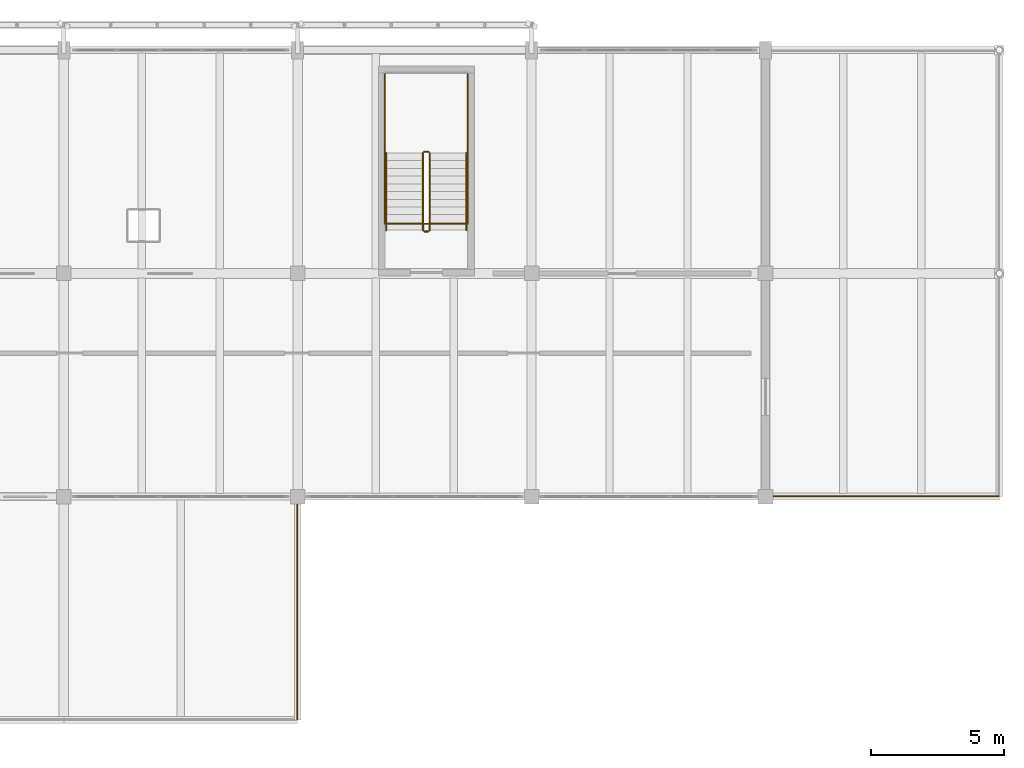
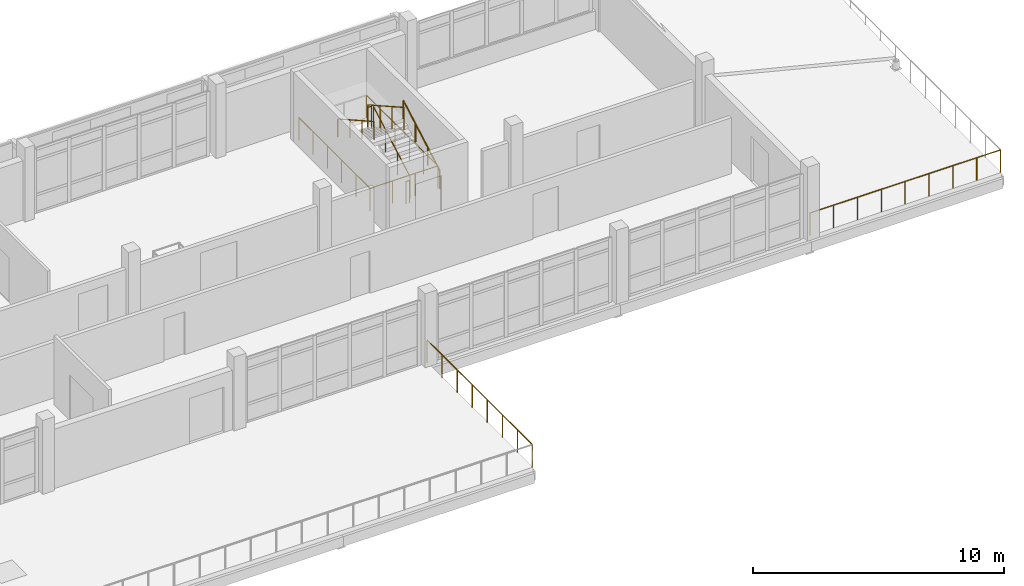
# One storey, part 29 of 30: 11 railings.
"""IFC4 building model written with IfcOpenShell, lengths in metres."""

from ifc_helpers import new_model, si_unit, direction, frame, origin, origin_2d, place, context, subcontext, project, spatial, circle, extrude, material, type_object, element, save


model = new_model("IFC4")

# Units and contexts
model_context = context("Model", 3, precision=1e-05, world=origin(), true_north=direction((0.0, 1.0)))
body_context = subcontext(model_context, "Body", "Model", "MODEL_VIEW")
ifc_project = project(units=[si_unit("LENGTHUNIT", "METRE"), si_unit("AREAUNIT", "SQUARE_METRE"), si_unit("VOLUMEUNIT", "CUBIC_METRE"), si_unit("PLANEANGLEUNIT", "RADIAN"), si_unit("MASSUNIT", "GRAM", prefix="KILO")], contexts=[model_context])

# Site, building, storey
site_placement = place(None, origin())
site = spatial("IfcSite", under=ifc_project, at=site_placement, CompositionType="ELEMENT")
building_placement = place(site_placement, origin())
building = spatial("IfcBuilding", under=site, at=building_placement, Name="Cinderway Yard Community Centre", CompositionType="ELEMENT")
storey_placement = place(building_placement, frame((0.0, 0.0, 16.5)))
storey = spatial("IfcBuildingStorey", under=building, at=storey_placement, Name="L04", CompositionType="ELEMENT", Elevation=16.5)

# Railings
ifc_material = material(Name="Painted Galvanised Steel", Category="steel")
railing_type_1 = type_object("IfcRailingType", Name="INT-RAL-GRD112", PredefinedType="GUARDRAIL", material=ifc_material)
railing_1_placement = place(storey_placement, frame((115.3701171875, 108.429931640625, 0.16357421875)))
element("IfcRailing", 1, at=railing_1_placement, inside=storey, type_object=railing_type_1, Name="L04 ST-03 stair guard 1", PredefinedType="GUARDRAIL", context=body_context, shape_type="SweptSolid", body=[
    extrude(circle(Radius=0.02392578125, at=origin_2d()), frame((0.0, 0.0, 1.076171875), z_axis=(0.0, 0.870914908162, 0.491433843708), x_axis=(-1.0, 0.0, 0.0)), (0.0, 0.0, 1.0), 3.330078125),
    extrude(circle(Radius=0.02099609375, at=origin_2d()), origin(), (0.0, 0.0, 1.0), 1.052001953125),
    extrude(circle(Radius=0.02099609375, at=origin_2d()), frame((0.0, 0.966796875, 0.54541015625)), (0.0, 0.0, 1.0), 1.052001953125),
    extrude(circle(Radius=0.02099609375, at=origin_2d()), frame((0.0, 1.933349609375, 1.091064453125)), (0.0, 0.0, 1.0), 1.052001953125),
    extrude(circle(Radius=0.02099609375, at=origin_2d()), frame((0.0, 2.900146484375, 1.636474609375)), (0.0, 0.0, 1.0), 1.052001953125),
])
railing_2_placement = place(storey_placement, frame((115.320068359375, 111.3798828125, 1.800048828125)))
element("IfcRailing", 2, at=railing_2_placement, inside=storey, type_object=railing_type_1, Name="L04 ST-03 stair guard 2", PredefinedType="GUARDRAIL", context=body_context, shape_type="SweptSolid", body=[
    extrude(circle(Radius=0.02392578125, at=origin_2d()), frame((0.0, 0.0, 1.076171875), z_axis=(-1.0, 0.0, 0.0), x_axis=(0.0, -1.0, 0.0)), (0.0, 0.0, 1.0), 0.16015625),
    extrude(circle(Radius=0.02099609375, at=origin_2d()), origin(), (0.0, 0.0, 1.0), 1.052001953125),
    extrude(circle(Radius=0.02099609375, at=origin_2d()), frame((-0.16015625, 0.0, 0.0)), (0.0, 0.0, 1.0), 1.052001953125),
])
railing_3_placement = place(storey_placement, frame((115.110107421875, 111.330078125, 1.963623046875)))
element("IfcRailing", 3, at=railing_3_placement, inside=storey, type_object=railing_type_1, Name="L04 ST-03 stair guard 3", PredefinedType="GUARDRAIL", context=body_context, shape_type="SweptSolid", body=[
    extrude(circle(Radius=0.02392578125, at=origin_2d()), frame((0.0, 0.0, 1.076171875), z_axis=(0.0, -0.870914908162, 0.491433843708), x_axis=(1.0, 0.0, 0.0)), (0.0, 0.0, 1.0), 3.330078125),
    extrude(circle(Radius=0.02099609375, at=origin_2d()), origin(), (0.0, 0.0, 1.0), 1.052001953125),
    extrude(circle(Radius=0.02099609375, at=origin_2d()), frame((0.0, -0.966796875, 0.54541015625)), (0.0, 0.0, 1.0), 1.052001953125),
    extrude(circle(Radius=0.02099609375, at=origin_2d()), frame((0.0, -1.933349609375, 1.091064453125)), (0.0, 0.0, 1.0), 1.052001953125),
    extrude(circle(Radius=0.02099609375, at=origin_2d()), frame((0.0, -2.900146484375, 1.636474609375)), (0.0, 0.0, 1.0), 1.052001953125),
])
railing_4_placement = place(storey_placement, frame((115.320068359375, 108.3798828125, 0.0)))
element("IfcRailing", 4, at=railing_4_placement, inside=storey, type_object=railing_type_1, Name="L04 ST-03 stair guard 4", PredefinedType="GUARDRAIL", context=body_context, shape_type="SweptSolid", body=[
    extrude(circle(Radius=0.02392578125, at=origin_2d()), frame((0.0, 0.0, 1.076171875), z_axis=(-1.0, 0.0, 0.0), x_axis=(0.0, -1.0, 0.0)), (0.0, 0.0, 1.0), 0.16015625),
    extrude(circle(Radius=0.02099609375, at=origin_2d()), origin(), (0.0, 0.0, 1.0), 1.052001953125),
    extrude(circle(Radius=0.02099609375, at=origin_2d()), frame((-0.16015625, 0.0, 0.0)), (0.0, 0.0, 1.0), 1.052001953125),
])
railing_5_placement = place(storey_placement, frame((128.0, 98.419921875, 0.0)))
element("IfcRailing", 5, at=railing_5_placement, inside=storey, type_object=railing_type_1, Name="V4 L04 East Setback Terrace Guard 042", PredefinedType="GUARDRAIL", context=body_context, shape_type="SweptSolid", body=[
    extrude(circle(Radius=0.02392578125, at=origin_2d()), frame((0.0, 0.0, 1.09619140625), z_axis=(1.0, 0.0, 0.0), x_axis=(0.0, 1.0, 0.0)), (0.0, 0.0, 1.0), 8.780029296875),
    extrude(circle(Radius=0.02099609375, at=origin_2d()), origin(), (0.0, 0.0, 1.0), 1.072021484375),
    extrude(circle(Radius=0.02099609375, at=origin_2d()), frame((1.097412109375, 0.0, 0.0)), (0.0, 0.0, 1.0), 1.072021484375),
    extrude(circle(Radius=0.02099609375, at=origin_2d()), frame((2.195068359375, 0.0, 0.0)), (0.0, 0.0, 1.0), 1.072021484375),
    extrude(circle(Radius=0.02099609375, at=origin_2d()), frame((3.29248046875, 0.0, 0.0)), (0.0, 0.0, 1.0), 1.072021484375),
    extrude(circle(Radius=0.02099609375, at=origin_2d()), frame((4.39013671875, 0.0, 0.0)), (0.0, 0.0, 1.0), 1.072021484375),
    extrude(circle(Radius=0.02099609375, at=origin_2d()), frame((5.487548828125, 0.0, 0.0)), (0.0, 0.0, 1.0), 1.072021484375),
    extrude(circle(Radius=0.02099609375, at=origin_2d()), frame((6.5849609375, 0.0, 0.0)), (0.0, 0.0, 1.0), 1.072021484375),
    extrude(circle(Radius=0.02099609375, at=origin_2d()), frame((7.6826171875, 0.0, 0.0)), (0.0, 0.0, 1.0), 1.072021484375),
    extrude(circle(Radius=0.02099609375, at=origin_2d()), frame((8.780029296875, 0.0, 0.0)), (0.0, 0.0, 1.0), 1.072021484375),
])
railing_6_placement = place(storey_placement, frame((110.3798828125, 90.02001953125, 0.0)))
element("IfcRailing", 6, at=railing_6_placement, inside=storey, type_object=railing_type_1, Name="V4 L04 South Courtyard Terrace Guard 047", PredefinedType="GUARDRAIL", context=body_context, shape_type="SweptSolid", body=[
    extrude(circle(Radius=0.02392578125, at=origin_2d()), frame((0.0, 0.0, 1.09619140625), z_axis=(0.0, 1.0, 0.0), x_axis=(-1.0, 0.0, 0.0)), (0.0, 0.0, 1.0), 8.3798828125),
    extrude(circle(Radius=0.02099609375, at=origin_2d()), origin(), (0.0, 0.0, 1.0), 1.072021484375),
    extrude(circle(Radius=0.02099609375, at=origin_2d()), frame((0.0, 1.197021484375, 0.0)), (0.0, 0.0, 1.0), 1.072021484375),
    extrude(circle(Radius=0.02099609375, at=origin_2d()), frame((0.0, 2.394287109375, 0.0)), (0.0, 0.0, 1.0), 1.072021484375),
    extrude(circle(Radius=0.02099609375, at=origin_2d()), frame((0.0, 3.59130859375, 0.0)), (0.0, 0.0, 1.0), 1.072021484375),
    extrude(circle(Radius=0.02099609375, at=origin_2d()), frame((0.0, 4.78857421875, 0.0)), (0.0, 0.0, 1.0), 1.072021484375),
    extrude(circle(Radius=0.02099609375, at=origin_2d()), frame((0.0, 5.985595703125, 0.0)), (0.0, 0.0, 1.0), 1.072021484375),
    extrude(circle(Radius=0.02099609375, at=origin_2d()), frame((0.0, 7.182861328125, 0.0)), (0.0, 0.0, 1.0), 1.072021484375),
    extrude(circle(Radius=0.02099609375, at=origin_2d()), frame((0.0, 8.3798828125, 0.0)), (0.0, 0.0, 1.0), 1.072021484375),
])
railing_7_placement = place(storey_placement, frame((116.800048828125, 108.669921875, 0.0)))
element("IfcRailing", 7, at=railing_7_placement, inside=storey, type_object=railing_type_1, Name="Service void perimeter guard L04 199", PredefinedType="GUARDRAIL", context=body_context, shape_type="SweptSolid", body=[
    extrude(circle(Radius=0.02392578125, at=origin_2d()), frame((0.0, 0.0, 1.09619140625), z_axis=(0.0, 1.0, 0.0), x_axis=(-1.0, 0.0, 0.0)), (0.0, 0.0, 1.0), 5.68017578125),
    extrude(circle(Radius=0.02099609375, at=origin_2d()), origin(), (0.0, 0.0, 1.0), 1.072021484375),
    extrude(circle(Radius=0.02099609375, at=origin_2d()), frame((0.0, 1.135986328125, 0.0)), (0.0, 0.0, 1.0), 1.072021484375),
    extrude(circle(Radius=0.02099609375, at=origin_2d()), frame((0.0, 2.27197265625, 0.0)), (0.0, 0.0, 1.0), 1.072021484375),
    extrude(circle(Radius=0.02099609375, at=origin_2d()), frame((0.0, 3.408203125, 0.0)), (0.0, 0.0, 1.0), 1.072021484375),
    extrude(circle(Radius=0.02099609375, at=origin_2d()), frame((0.0, 4.544189453125, 0.0)), (0.0, 0.0, 1.0), 1.072021484375),
    extrude(circle(Radius=0.02099609375, at=origin_2d()), frame((0.0, 5.68017578125, 0.0)), (0.0, 0.0, 1.0), 1.072021484375),
])
railing_8_placement = place(storey_placement, frame((113.679931640625, 114.35009765625, 0.0)))
element("IfcRailing", 8, at=railing_8_placement, inside=storey, type_object=railing_type_1, Name="Service void perimeter guard L04 201", PredefinedType="GUARDRAIL", context=body_context, shape_type="SweptSolid", body=[
    extrude(circle(Radius=0.02392578125, at=origin_2d()), frame((0.0, 0.0, 1.09619140625), z_axis=(0.0, -1.0, 0.0), x_axis=(1.0, 0.0, 0.0)), (0.0, 0.0, 1.0), 5.68017578125),
    extrude(circle(Radius=0.02099609375, at=origin_2d()), origin(), (0.0, 0.0, 1.0), 1.072021484375),
    extrude(circle(Radius=0.02099609375, at=origin_2d()), frame((0.0, -1.135986328125, 0.0)), (0.0, 0.0, 1.0), 1.072021484375),
    extrude(circle(Radius=0.02099609375, at=origin_2d()), frame((0.0, -2.27197265625, 0.0)), (0.0, 0.0, 1.0), 1.072021484375),
    extrude(circle(Radius=0.02099609375, at=origin_2d()), frame((0.0, -3.408203125, 0.0)), (0.0, 0.0, 1.0), 1.072021484375),
    extrude(circle(Radius=0.02099609375, at=origin_2d()), frame((0.0, -4.544189453125, 0.0)), (0.0, 0.0, 1.0), 1.072021484375),
    extrude(circle(Radius=0.02099609375, at=origin_2d()), frame((0.0, -5.68017578125, 0.0)), (0.0, 0.0, 1.0), 1.072021484375),
])
railing_9_placement = place(storey_placement, frame((113.679931640625, 108.669921875, 0.0)))
element("IfcRailing", 9, at=railing_9_placement, inside=storey, type_object=railing_type_1, Name="Service void perimeter guard L04 202", PredefinedType="GUARDRAIL", context=body_context, shape_type="SweptSolid", body=[
    extrude(circle(Radius=0.02392578125, at=origin_2d()), frame((0.0, 0.0, 1.09619140625), z_axis=(1.0, 0.0, 0.0), x_axis=(0.0, 1.0, 0.0)), (0.0, 0.0, 1.0), 3.1201171875),
    extrude(circle(Radius=0.02099609375, at=origin_2d()), origin(), (0.0, 0.0, 1.0), 1.072021484375),
    extrude(circle(Radius=0.02099609375, at=origin_2d()), frame((1.0400390625, 0.0, 0.0)), (0.0, 0.0, 1.0), 1.072021484375),
    extrude(circle(Radius=0.02099609375, at=origin_2d()), frame((2.080078125, 0.0, 0.0)), (0.0, 0.0, 1.0), 1.072021484375),
    extrude(circle(Radius=0.02099609375, at=origin_2d()), frame((3.1201171875, 0.0, 0.0)), (0.0, 0.0, 1.0), 1.072021484375),
])
railing_type_2 = type_object("IfcRailingType", Name="INT-RAL-HND090", PredefinedType="HANDRAIL", material=ifc_material)
railing_10_placement = place(storey_placement, frame((116.75, 108.429931640625, 0.16357421875)))
element("IfcRailing", 10, at=railing_10_placement, inside=storey, type_object=railing_type_2, Name="L04 ST-03 stair handrail 1", PredefinedType="HANDRAIL", context=body_context, shape_type="SweptSolid", body=[
    extrude(circle(Radius=0.02392578125, at=origin_2d()), frame((0.0, 0.0, 0.8759765625), z_axis=(0.0, 0.870914908162, 0.491433843708), x_axis=(-1.0, 0.0, 0.0)), (0.0, 0.0, 1.0), 3.330078125),
    extrude(circle(Radius=0.02099609375, at=origin_2d()), origin(), (0.0, 0.0, 1.0), 0.851806640625),
    extrude(circle(Radius=0.02099609375, at=origin_2d()), frame((0.0, 0.966796875, 0.54541015625)), (0.0, 0.0, 1.0), 0.851806640625),
    extrude(circle(Radius=0.02099609375, at=origin_2d()), frame((0.0, 1.933349609375, 1.091064453125)), (0.0, 0.0, 1.0), 0.851806640625),
    extrude(circle(Radius=0.02099609375, at=origin_2d()), frame((0.0, 2.900146484375, 1.636474609375)), (0.0, 0.0, 1.0), 0.851806640625),
])
railing_11_placement = place(storey_placement, frame((113.72998046875, 111.330078125, 1.963623046875)))
element("IfcRailing", 11, at=railing_11_placement, inside=storey, type_object=railing_type_2, Name="L04 ST-03 stair handrail 2", PredefinedType="HANDRAIL", context=body_context, shape_type="SweptSolid", body=[
    extrude(circle(Radius=0.02392578125, at=origin_2d()), frame((0.0, 0.0, 0.8759765625), z_axis=(0.0, -0.870914908162, 0.491433843708), x_axis=(1.0, 0.0, 0.0)), (0.0, 0.0, 1.0), 3.330078125),
    extrude(circle(Radius=0.02099609375, at=origin_2d()), origin(), (0.0, 0.0, 1.0), 0.851806640625),
    extrude(circle(Radius=0.02099609375, at=origin_2d()), frame((0.0, -0.966796875, 0.54541015625)), (0.0, 0.0, 1.0), 0.851806640625),
    extrude(circle(Radius=0.02099609375, at=origin_2d()), frame((0.0, -1.933349609375, 1.091064453125)), (0.0, 0.0, 1.0), 0.851806640625),
    extrude(circle(Radius=0.02099609375, at=origin_2d()), frame((0.0, -2.900146484375, 1.636474609375)), (0.0, 0.0, 1.0), 0.851806640625),
])

save(model, "model.ifc")
